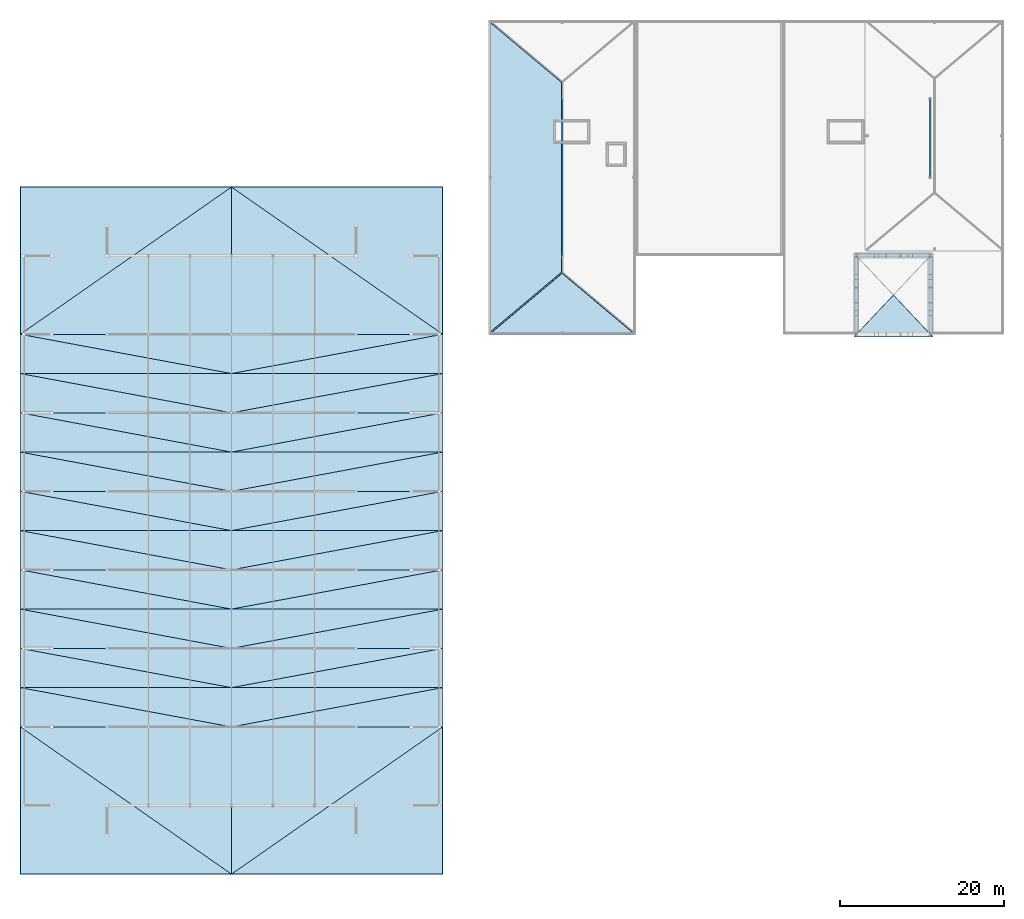
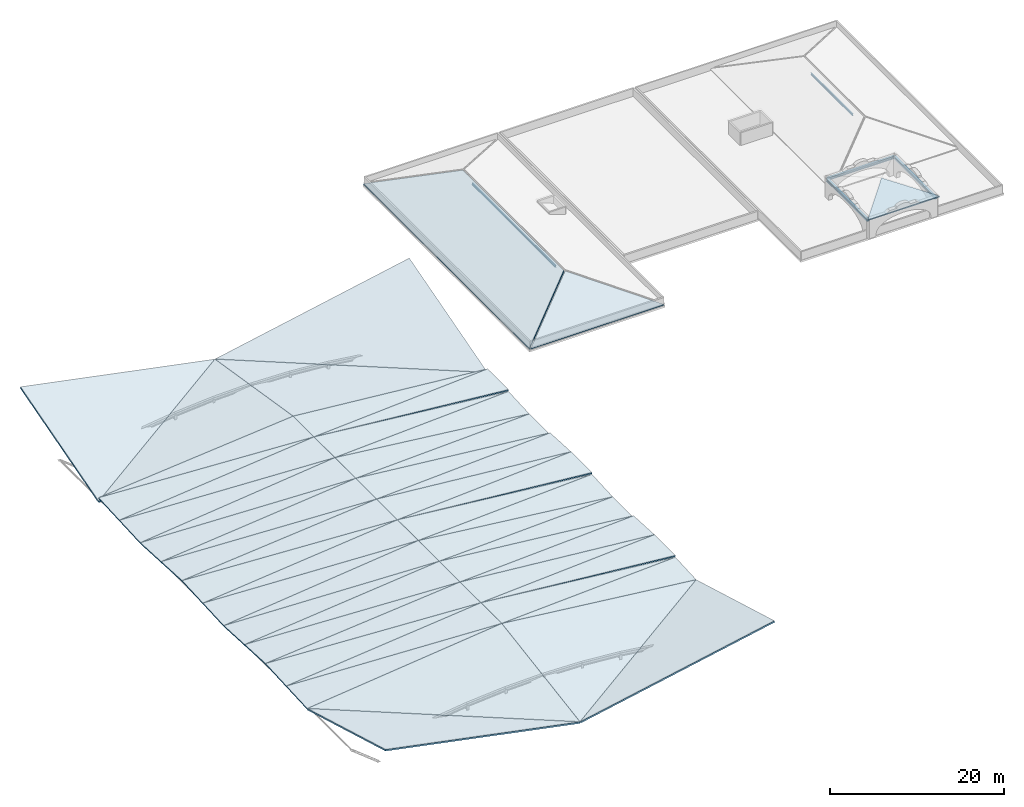
# One storey, part 10 of 16: 51 slabs, 5 beams.
"""IFC4 building model written with IfcOpenShell, lengths in metres."""

from ifc_helpers import new_model, si_unit, direction, frame, origin, origin_2d, place, context, subcontext, project, spatial, polyline, i_section, outline, extrude, material, layer, layer_set, material_profile, profile_set, type_object, element, save


model = new_model("IFC4")

# Units and contexts
model_context = context("Model", 3, precision=1e-05, world=origin(), true_north=direction((0.0, 1.0)))
body_context = subcontext(model_context, "Body", "Model", "MODEL_VIEW")
ifc_project = project(units=[si_unit("LENGTHUNIT", "METRE"), si_unit("AREAUNIT", "SQUARE_METRE"), si_unit("VOLUMEUNIT", "CUBIC_METRE"), si_unit("PLANEANGLEUNIT", "RADIAN"), si_unit("MASSUNIT", "GRAM", prefix="KILO")], contexts=[model_context])

# Site, building, storey
site_placement = place(None, origin())
site = spatial("IfcSite", under=ifc_project, at=site_placement, CompositionType="ELEMENT")
building_placement = place(site_placement, origin())
building = spatial("IfcBuilding", under=site, at=building_placement, Name="Myrtia Square Station", CompositionType="ELEMENT")
storey_placement = place(building_placement, frame((0.0, 0.0, 22.800048828125)))
storey = spatial("IfcBuildingStorey", under=building, at=storey_placement, Name="RF", CompositionType="ELEMENT", Elevation=22.800048828125)

# Beams
ifc_material_1 = material(Name="Steel S355", Category="steel")
ifc_material_profile_1 = material_profile(ifc_material_1, i_section(OverallWidth=0.300048828125, OverallDepth=0.360107421875, WebThickness=0.012451171875, FlangeThickness=0.0224609375, FilletRadius=0.027099609375, at=origin_2d()), Name="HEB 360")
ifc_profile_set_1 = profile_set([ifc_material_profile_1], Name="Steel S355")
beam_type_1 = type_object("IfcBeamType", Name="BM-HEB360", PredefinedType="BEAM", material=ifc_profile_set_1)
beam_1_placement = place(storey_placement, frame((171.050048828125, 96.0, 2.5), z_axis=(1.0, 0.0, 0.0), x_axis=(0.0, 1.0, 0.0)))
element("IfcBeam", 1, at=beam_1_placement, inside=storey, type_object=beam_type_1, Name="Station clock tower belfry ring beam 2", PredefinedType="BEAM", context=body_context, shape_type="SweptSolid", body=[
    extrude(i_section(OverallWidth=0.300048828125, OverallDepth=0.360107421875, WebThickness=0.012451171875, FlangeThickness=0.0224609375, FilletRadius=0.027099609375, at=origin_2d()), origin(), (0.0, 0.0, 1.0), 8.89990234375),
])
for number, where, z_axis, x_axis, name in (
    (2, (171.0, 86.449951171875, 2.5), (0.0, 1.0, 0.0), (-1.0, 0.0, 0.0), "Station clock tower belfry ring beam 3"),
    (3, (180.0, 86.449951171875, 2.5), (0.0, 1.0, 0.0), (-1.0, 0.0, 0.0), "Station clock tower belfry ring beam 4"),
):
    element("IfcBeam", number, at=place(storey_placement, frame(where, z_axis=z_axis, x_axis=x_axis)), inside=storey, type_object=beam_type_1, Name=name, PredefinedType="BEAM", context=body_context, shape_type="SweptSolid", body=[
        extrude(i_section(OverallWidth=0.300048828125, OverallDepth=0.360107421875, WebThickness=0.012451171875, FlangeThickness=0.0224609375, FilletRadius=0.027099609375, at=origin_2d()), origin(), (0.0, 0.0, 1.0), 9.5),
    ])
ifc_material_profile_2 = material_profile(ifc_material_1, i_section(OverallWidth=0.14990234375, OverallDepth=0.300048828125, WebThickness=0.007080078125, FlangeThickness=0.0107421875, FilletRadius=0.014892578125, at=origin_2d()), Name="IPE 300")
ifc_profile_set_2 = profile_set([ifc_material_profile_2], Name="Steel S355")
beam_type_2 = type_object("IfcBeamType", Name="BM-IPE300", PredefinedType="BEAM", material=ifc_profile_set_2)
beam_2_placement = place(storey_placement, frame((135.0, 96.0, 2.829833984375), z_axis=(0.0, 1.0, 0.0), x_axis=(-1.0, 0.0, 0.0)))
element("IfcBeam", 4, at=beam_2_placement, inside=storey, type_object=beam_type_2, Name="Hipped roof ridge beam HIP-V5W", PredefinedType="BEAM", context=body_context, shape_type="SweptSolid", body=[
    extrude(i_section(OverallWidth=0.14990234375, OverallDepth=0.300048828125, WebThickness=0.007080078125, FlangeThickness=0.0107421875, FilletRadius=0.014892578125, at=origin_2d()), origin(), (0.0, 0.0, 1.0), 19.199951171875),
])
beam_3_placement = place(storey_placement, frame((180.0, 105.60009765625, 2.530029296875), z_axis=(0.0, 1.0, 0.0), x_axis=(-1.0, 0.0, 0.0)))
element("IfcBeam", 5, at=beam_3_placement, inside=storey, type_object=beam_type_2, Name="Hipped roof ridge beam HIP-V5NE", PredefinedType="BEAM", context=body_context, shape_type="SweptSolid", body=[
    extrude(i_section(OverallWidth=0.14990234375, OverallDepth=0.300048828125, WebThickness=0.007080078125, FlangeThickness=0.0107421875, FilletRadius=0.014892578125, at=origin_2d()), origin(), (0.0, 0.0, 1.0), 9.599853515625),
])

# Slabs
ifc_material_2 = material(Name="Concrete C35/45", Category="concrete")
ifc_layer_1 = layer(ifc_material_2, 0.175048828125, Name="Concrete C35/45")
ifc_layer_set_1 = layer_set([ifc_layer_1], Name="Concrete C35/45")
slab_type_1 = type_object("IfcSlabType", Name="SLB-FOLD-175", PredefinedType="ROOF", material=ifc_layer_set_1)
slab_1_placement = place(storey_placement, frame((68.75, 20.39990234375, 4.0), z_axis=(0.188301754108, 0.2701602003, 0.944222386715), x_axis=(0.980688926589, 0.0, -0.195574101725)))
element("IfcSlab", 6, at=slab_1_placement, inside=storey, type_object=slab_type_1, Name="Upper upturned folded roof facet UF-SW-OUT", PredefinedType="ROOF", context=body_context, shape_type="SweptSolid", body=[
    extrude(outline(polyline([(0.0, 0.0), (26.333478916395535, -2.220446049250313e-16), (1.0072352724351212, 18.695172797181705), (0.0, 0.0)])), origin(), (0.0, 0.0, -1.0), 0.175048828125),
])
slab_2_placement = place(storey_placement, frame((94.574951171875, 20.39990234375, -1.150146484375), z_axis=(-0.110195125432, -0.158099096314, 0.981255170726), x_axis=(0.0, 0.987267657464, 0.159067823663)))
element("IfcSlab", 7, at=slab_2_placement, inside=storey, type_object=slab_type_1, Name="Upper upturned folded roof facet UF-SW-IN", PredefinedType="ROOF", context=body_context, shape_type="SweptSolid", body=[
    extrude(outline(polyline([(0.0, 0.0), (18.232137823931474, -5.551115123125783e-17), (17.770817834358304, 25.983189498746704), (0.0, 0.0)])), origin(), (0.0, 0.0, -1.0), 0.175048828125),
])
slab_3_placement = place(storey_placement, frame((120.39990234375, 20.39990234375, 4.0), z_axis=(-0.188301754108, 0.2701602003, 0.944222386715), x_axis=(0.0, 0.961421035644, -0.275081064818)))
element("IfcSlab", 8, at=slab_3_placement, inside=storey, type_object=slab_type_1, Name="Upper upturned folded roof facet UF-SE-OUT", PredefinedType="ROOF", context=body_context, shape_type="SweptSolid", body=[
    extrude(outline(polyline([(0.0, 0.0), (18.72228642048081, -1.1102230246251565e-16), (1.4167077788909825, 26.295342760828923), (0.0, 0.0)])), origin(), (0.0, 0.0, -1.0), 0.175048828125),
])
slab_4_placement = place(storey_placement, frame((94.574951171875, 20.39990234375, -1.150146484375), z_axis=(0.110195125432, -0.158099096314, 0.981255170726), x_axis=(0.820386370125, 0.571809586937, 0.0)))
element("IfcSlab", 9, at=slab_4_placement, inside=storey, type_object=slab_type_1, Name="Upper upturned folded roof facet UF-SE-IN", PredefinedType="ROOF", context=body_context, shape_type="SweptSolid", body=[
    extrude(outline(polyline([(0.0, 0.0), (31.479010515416903, 0.0), (10.292572564862558, 15.04904646905814), (0.0, 0.0)])), origin(), (0.0, 0.0, -1.0), 0.175048828125),
])
slab_5_placement = place(storey_placement, frame((68.75, 38.39990234375, -1.150146484375), z_axis=(-0.111449496439, -0.051688275006, 0.992424975487), x_axis=(0.993753357712, 0.0, 0.111598673993)))
element("IfcSlab", 10, at=slab_5_placement, inside=storey, type_object=slab_type_1, Name="Upper folded hall roof facet UF-B1-W1", PredefinedType="ROOF", context=body_context, shape_type="SweptSolid", body=[
    extrude(outline(polyline([(0.0, 0.0), (25.987284441829637, -2.7755575615628914e-17), (0.027899668498133537, 4.806473796961956), (0.0, 0.0)])), origin(), (0.0, 0.0, -1.0), 0.175048828125),
])
slab_6_placement = place(storey_placement, frame((94.574951171875, 38.39990234375, 1.75), z_axis=(-0.102083510541, 0.0, 0.994775832475), x_axis=(0.0, 1.0, 0.0)))
element("IfcSlab", 11, at=slab_6_placement, inside=storey, type_object=slab_type_1, Name="Upper folded hall roof facet UF-B1-W2", PredefinedType="ROOF", context=body_context, shape_type="SweptSolid", body=[
    extrude(outline(polyline([(0.0, 0.0), (4.800048828125, 0.0), (4.800048828125, 25.960573557191935), (0.0, 0.0)])), origin(), (0.0, 0.0, -1.0), 0.175048828125),
])
slab_7_placement = place(storey_placement, frame((68.75, 43.199951171875, -0.900146484375), z_axis=(-0.101946771829, -0.051741314869, 0.993443351203), x_axis=(0.994775832475, 0.0, 0.102083510541)))
element("IfcSlab", 12, at=slab_7_placement, inside=storey, type_object=slab_type_1, Name="Upper folded hall roof facet UF-B1-W3", PredefinedType="ROOF", context=body_context, shape_type="SweptSolid", body=[
    extrude(outline(polyline([(0.0, 0.0), (25.960573557191935, -2.7755575615628914e-17), (0.025520877635240285, 4.80648701623014), (0.0, 0.0)])), origin(), (0.0, 0.0, -1.0), 0.175048828125),
])
slab_8_placement = place(storey_placement, frame((94.574951171875, 43.199951171875, 1.75), z_axis=(-0.092540245581, 0.0, 0.995708944897), x_axis=(0.0, 1.0, 0.0)))
element("IfcSlab", 13, at=slab_8_placement, inside=storey, type_object=slab_type_1, Name="Upper folded hall roof facet UF-B1-W4", PredefinedType="ROOF", context=body_context, shape_type="SweptSolid", body=[
    extrude(outline(polyline([(0.0, 0.0), (4.800048828125, 0.0), (4.800048828125, 25.936245028457485), (0.0, 0.0)])), origin(), (0.0, 0.0, -1.0), 0.175048828125),
])
slab_9_placement = place(storey_placement, frame((94.574951171875, 38.39990234375, 1.75), z_axis=(0.111449496439, -0.051688275006, 0.992424975487), x_axis=(0.993753357712, 0.0, -0.111598673993)))
element("IfcSlab", 14, at=slab_9_placement, inside=storey, type_object=slab_type_1, Name="Upper folded hall roof facet UF-B1-E1", PredefinedType="ROOF", context=body_context, shape_type="SweptSolid", body=[
    extrude(outline(polyline([(0.0, 0.0), (25.987284441829637, 2.7755575615628914e-17), (25.959384773331504, 4.806473796961956), (0.0, 0.0)])), origin(), (0.0, 0.0, -1.0), 0.175048828125),
])
slab_10_placement = place(storey_placement, frame((94.574951171875, 38.39990234375, 1.75), z_axis=(0.102083510541, 0.0, 0.994775832475), x_axis=(0.978195497944, 0.181815877301, -0.100382043035)))
element("IfcSlab", 15, at=slab_10_placement, inside=storey, type_object=slab_type_1, Name="Upper folded hall roof facet UF-B1-E2", PredefinedType="ROOF", context=body_context, shape_type="SweptSolid", body=[
    extrude(outline(polyline([(0.0, 0.0), (26.40060317816162, -7.008282842946301e-16), (0.8727250887753615, 4.720044456549771), (0.0, 0.0)])), origin(), (0.0, 0.0, -1.0), 0.175048828125),
])
slab_11_placement = place(storey_placement, frame((94.574951171875, 43.199951171875, 1.75), z_axis=(0.092540245581, 0.0, 0.995708944897), x_axis=(0.995708944897, 0.0, -0.092540245581)))
element("IfcSlab", 16, at=slab_11_placement, inside=storey, type_object=slab_type_1, Name="Upper folded hall roof facet UF-B1-E3", PredefinedType="ROOF", context=body_context, shape_type="SweptSolid", body=[
    extrude(outline(polyline([(0.0, 0.0), (25.936245028457485, 0.0), (25.936245028457485, 4.800048828125), (0.0, 0.0)])), origin(), (0.0, 0.0, -1.0), 0.175048828125),
])
slab_12_placement = place(storey_placement, frame((94.574951171875, 43.199951171875, 1.75), z_axis=(0.092540245581, 0.0, 0.995708944897), x_axis=(0.979082684735, 0.181980777513, -0.09099501672)))
element("IfcSlab", 17, at=slab_12_placement, inside=storey, type_object=slab_type_1, Name="Upper folded hall roof facet UF-B1-E4", PredefinedType="ROOF", context=body_context, shape_type="SweptSolid", body=[
    extrude(outline(polyline([(0.0, 0.0), (26.376680513828305, 4.510281037539698e-16), (0.87351661784374, 4.719898036052794), (0.0, 0.0)])), origin(), (0.0, 0.0, -1.0), 0.175048828125),
])
slab_13_placement = place(storey_placement, frame((68.75, 48.0, -0.650146484375), z_axis=(-0.092416057686, 0.051789718766, 0.99437271549), x_axis=(0.995708944897, 0.0, 0.092540245581)))
element("IfcSlab", 18, at=slab_13_placement, inside=storey, type_object=slab_type_1, Name="Upper folded hall roof facet UF-B2-W1", PredefinedType="ROOF", context=body_context, shape_type="SweptSolid", body=[
    extrude(outline(polyline([(0.0, 0.0), (25.936245028457485, -1.3877787807814457e-17), (-0.02313506139517823, 4.806499091991845), (0.0, 0.0)])), origin(), (0.0, 0.0, -1.0), 0.175048828125),
])
slab_14_placement = place(storey_placement, frame((94.574951171875, 48.0, 1.75), z_axis=(-0.102083510541, 0.0, 0.994775832475), x_axis=(0.0, 1.0, 0.0)))
element("IfcSlab", 19, at=slab_14_placement, inside=storey, type_object=slab_type_1, Name="Upper folded hall roof facet UF-B2-W2", PredefinedType="ROOF", context=body_context, shape_type="SweptSolid", body=[
    extrude(outline(polyline([(0.0, 0.0), (4.800048828125, 0.0), (4.800048828125, 25.960573557191935), (0.0, 0.0)])), origin(), (0.0, 0.0, -1.0), 0.175048828125),
])
slab_15_placement = place(storey_placement, frame((68.75, 52.800048828125, -0.900146484375), z_axis=(-0.101946771829, 0.051741314869, 0.993443351203), x_axis=(0.994775832475, 0.0, 0.102083510541)))
element("IfcSlab", 20, at=slab_15_placement, inside=storey, type_object=slab_type_1, Name="Upper folded hall roof facet UF-B2-W3", PredefinedType="ROOF", context=body_context, shape_type="SweptSolid", body=[
    extrude(outline(polyline([(0.0, 0.0), (25.960573557191935, 2.7755575615628914e-17), (-0.025520877635240285, 4.80648701623014), (0.0, 0.0)])), origin(), (0.0, 0.0, -1.0), 0.175048828125),
])
slab_16_placement = place(storey_placement, frame((94.574951171875, 52.800048828125, 1.75), z_axis=(-0.111598673993, 0.0, 0.993753357712), x_axis=(0.0, 1.0, 0.0)))
element("IfcSlab", 21, at=slab_16_placement, inside=storey, type_object=slab_type_1, Name="Upper folded hall roof facet UF-B2-W4", PredefinedType="ROOF", context=body_context, shape_type="SweptSolid", body=[
    extrude(outline(polyline([(0.0, 0.0), (4.800048828125, 0.0), (4.800048828125, 25.987284441829637), (0.0, 0.0)])), origin(), (0.0, 0.0, -1.0), 0.175048828125),
])
slab_17_placement = place(storey_placement, frame((94.574951171875, 48.0, 1.75), z_axis=(0.092416057686, 0.051789718766, 0.99437271549), x_axis=(0.995708944897, 0.0, -0.092540245581)))
element("IfcSlab", 22, at=slab_17_placement, inside=storey, type_object=slab_type_1, Name="Upper folded hall roof facet UF-B2-E1", PredefinedType="ROOF", context=body_context, shape_type="SweptSolid", body=[
    extrude(outline(polyline([(0.0, 0.0), (25.936245028457485, 1.3877787807814457e-17), (25.95938008985266, 4.806499091991845), (0.0, 0.0)])), origin(), (0.0, 0.0, -1.0), 0.175048828125),
])
slab_18_placement = place(storey_placement, frame((94.574951171875, 48.0, 1.75), z_axis=(0.102083510541, 0.0, 0.994775832475), x_axis=(0.978195497944, 0.181815877301, -0.100382043035)))
element("IfcSlab", 23, at=slab_18_placement, inside=storey, type_object=slab_type_1, Name="Upper folded hall roof facet UF-B2-E2", PredefinedType="ROOF", context=body_context, shape_type="SweptSolid", body=[
    extrude(outline(polyline([(0.0, 0.0), (26.40060317816162, -7.008282842946301e-16), (0.8727250887753615, 4.720044456549771), (0.0, 0.0)])), origin(), (0.0, 0.0, -1.0), 0.175048828125),
])
slab_19_placement = place(storey_placement, frame((94.574951171875, 52.800048828125, 1.75), z_axis=(0.111598673993, 0.0, 0.993753357712), x_axis=(0.993753357712, 0.0, -0.111598673993)))
element("IfcSlab", 24, at=slab_19_placement, inside=storey, type_object=slab_type_1, Name="Upper folded hall roof facet UF-B2-E3", PredefinedType="ROOF", context=body_context, shape_type="SweptSolid", body=[
    extrude(outline(polyline([(0.0, 0.0), (25.987284441829637, 0.0), (25.987284441829637, 4.800048828125), (0.0, 0.0)])), origin(), (0.0, 0.0, -1.0), 0.175048828125),
])
slab_20_placement = place(storey_placement, frame((94.574951171875, 52.800048828125, 1.75), z_axis=(0.111598673993, 0.0, 0.993753357712), x_axis=(0.977223252254, 0.181635167307, -0.10974234029)))
element("IfcSlab", 25, at=slab_20_placement, inside=storey, type_object=slab_type_1, Name="Upper folded hall roof facet UF-B2-E4", PredefinedType="ROOF", context=body_context, shape_type="SweptSolid", body=[
    extrude(outline(polyline([(0.0, 0.0), (26.426869307826546, 7.979727989493313e-16), (0.8718576719778363, 4.720204757444065), (0.0, 0.0)])), origin(), (0.0, 0.0, -1.0), 0.175048828125),
])
slab_21_placement = place(storey_placement, frame((68.75, 57.60009765625, -1.150146484375), z_axis=(-0.111449481293, -0.05169089709, 0.992424840619), x_axis=(0.993753357712, 0.0, 0.111598673993)))
element("IfcSlab", 26, at=slab_21_placement, inside=storey, type_object=slab_type_1, Name="Upper folded hall roof facet UF-B3-W1", PredefinedType="ROOF", context=body_context, shape_type="SweptSolid", body=[
    extrude(outline(polyline([(0.0, 0.0), (25.987284441829637, 0.0), (0.027899668498133537, 4.806229982704185), (0.0, 0.0)])), origin(), (0.0, 0.0, -1.0), 0.175048828125),
])
slab_22_placement = place(storey_placement, frame((94.574951171875, 57.60009765625, 1.75), z_axis=(-0.102083510541, 0.0, 0.994775832475), x_axis=(0.0, 1.0, 0.0)))
element("IfcSlab", 27, at=slab_22_placement, inside=storey, type_object=slab_type_1, Name="Upper folded hall roof facet UF-B3-W2", PredefinedType="ROOF", context=body_context, shape_type="SweptSolid", body=[
    extrude(outline(polyline([(0.0, 0.0), (4.7998046875, 0.0), (4.7998046875, 25.960573557191935), (0.0, 0.0)])), origin(), (0.0, 0.0, -1.0), 0.175048828125),
])
slab_23_placement = place(storey_placement, frame((68.75, 62.39990234375, -0.900146484375), z_axis=(-0.101946771829, -0.051741314869, 0.993443351203), x_axis=(0.994775832475, 0.0, 0.102083510541)))
element("IfcSlab", 28, at=slab_23_placement, inside=storey, type_object=slab_type_1, Name="Upper folded hall roof facet UF-B3-W3", PredefinedType="ROOF", context=body_context, shape_type="SweptSolid", body=[
    extrude(outline(polyline([(0.0, 0.0), (25.960573557191935, -2.7755575615628914e-17), (0.025520877635240285, 4.80648701623014), (0.0, 0.0)])), origin(), (0.0, 0.0, -1.0), 0.175048828125),
])
slab_24_placement = place(storey_placement, frame((94.574951171875, 62.39990234375, 1.75), z_axis=(-0.092540245581, 0.0, 0.995708944897), x_axis=(0.0, 1.0, 0.0)))
element("IfcSlab", 29, at=slab_24_placement, inside=storey, type_object=slab_type_1, Name="Upper folded hall roof facet UF-B3-W4", PredefinedType="ROOF", context=body_context, shape_type="SweptSolid", body=[
    extrude(outline(polyline([(0.0, 0.0), (4.800048828125, 0.0), (4.800048828125, 25.936245028457485), (0.0, 0.0)])), origin(), (0.0, 0.0, -1.0), 0.175048828125),
])
slab_25_placement = place(storey_placement, frame((94.574951171875, 57.60009765625, 1.75), z_axis=(0.111449481293, -0.05169089709, 0.992424840619), x_axis=(0.993753357712, 0.0, -0.111598673993)))
element("IfcSlab", 30, at=slab_25_placement, inside=storey, type_object=slab_type_1, Name="Upper folded hall roof facet UF-B3-E1", PredefinedType="ROOF", context=body_context, shape_type="SweptSolid", body=[
    extrude(outline(polyline([(0.0, 0.0), (25.987284441829637, 0.0), (25.959384773331504, 4.806229982704185), (0.0, 0.0)])), origin(), (0.0, 0.0, -1.0), 0.175048828125),
])
slab_26_placement = place(storey_placement, frame((94.574951171875, 57.60009765625, 1.75), z_axis=(0.102083510541, 0.0, 0.994775832475), x_axis=(0.978197142595, 0.181806935435, -0.100382211808)))
element("IfcSlab", 31, at=slab_26_placement, inside=storey, type_object=slab_type_1, Name="Upper folded hall roof facet UF-B3-E2", PredefinedType="ROOF", context=body_context, shape_type="SweptSolid", body=[
    extrude(outline(polyline([(0.0, 0.0), (26.400558790611235, 1.6653345369377348e-16), (0.8726377809222723, 4.719812320575261), (0.0, 0.0)])), origin(), (0.0, 0.0, -1.0), 0.175048828125),
])
slab_27_placement = place(storey_placement, frame((94.574951171875, 62.39990234375, 1.75), z_axis=(0.092540245581, 0.0, 0.995708944897), x_axis=(0.995708944897, 0.0, -0.092540245581)))
element("IfcSlab", 32, at=slab_27_placement, inside=storey, type_object=slab_type_1, Name="Upper folded hall roof facet UF-B3-E3", PredefinedType="ROOF", context=body_context, shape_type="SweptSolid", body=[
    extrude(outline(polyline([(0.0, 0.0), (25.936245028457485, 0.0), (25.936245028457485, 4.800048828125), (0.0, 0.0)])), origin(), (0.0, 0.0, -1.0), 0.175048828125),
])
slab_28_placement = place(storey_placement, frame((94.574951171875, 62.39990234375, 1.75), z_axis=(0.092540245581, 0.0, 0.995708944897), x_axis=(0.979082684735, 0.181980777513, -0.09099501672)))
element("IfcSlab", 33, at=slab_28_placement, inside=storey, type_object=slab_type_1, Name="Upper folded hall roof facet UF-B3-E4", PredefinedType="ROOF", context=body_context, shape_type="SweptSolid", body=[
    extrude(outline(polyline([(0.0, 0.0), (26.376680513828305, 4.510281037539698e-16), (0.87351661784374, 4.719898036052794), (0.0, 0.0)])), origin(), (0.0, 0.0, -1.0), 0.175048828125),
])
slab_29_placement = place(storey_placement, frame((68.75, 67.199951171875, -0.650146484375), z_axis=(-0.092416057686, 0.051789718766, 0.99437271549), x_axis=(0.995708944897, 0.0, 0.092540245581)))
element("IfcSlab", 34, at=slab_29_placement, inside=storey, type_object=slab_type_1, Name="Upper folded hall roof facet UF-B4-W1", PredefinedType="ROOF", context=body_context, shape_type="SweptSolid", body=[
    extrude(outline(polyline([(0.0, 0.0), (25.936245028457485, -1.3877787807814457e-17), (-0.02313506139517823, 4.806499091991845), (0.0, 0.0)])), origin(), (0.0, 0.0, -1.0), 0.175048828125),
])
slab_30_placement = place(storey_placement, frame((94.574951171875, 67.199951171875, 1.75), z_axis=(-0.102083510541, 0.0, 0.994775832475), x_axis=(0.0, 1.0, 0.0)))
element("IfcSlab", 35, at=slab_30_placement, inside=storey, type_object=slab_type_1, Name="Upper folded hall roof facet UF-B4-W2", PredefinedType="ROOF", context=body_context, shape_type="SweptSolid", body=[
    extrude(outline(polyline([(0.0, 0.0), (4.800048828125, 0.0), (4.800048828125, 25.960573557191935), (0.0, 0.0)])), origin(), (0.0, 0.0, -1.0), 0.175048828125),
])
slab_31_placement = place(storey_placement, frame((68.75, 72.0, -0.900146484375), z_axis=(-0.101946771829, 0.051741314869, 0.993443351203), x_axis=(0.994775832475, 0.0, 0.102083510541)))
element("IfcSlab", 36, at=slab_31_placement, inside=storey, type_object=slab_type_1, Name="Upper folded hall roof facet UF-B4-W3", PredefinedType="ROOF", context=body_context, shape_type="SweptSolid", body=[
    extrude(outline(polyline([(0.0, 0.0), (25.960573557191935, 2.7755575615628914e-17), (-0.025520877635240285, 4.80648701623014), (0.0, 0.0)])), origin(), (0.0, 0.0, -1.0), 0.175048828125),
])
slab_32_placement = place(storey_placement, frame((94.574951171875, 72.0, 1.75), z_axis=(-0.111598673993, 0.0, 0.993753357712), x_axis=(0.0, 1.0, 0.0)))
element("IfcSlab", 37, at=slab_32_placement, inside=storey, type_object=slab_type_1, Name="Upper folded hall roof facet UF-B4-W4", PredefinedType="ROOF", context=body_context, shape_type="SweptSolid", body=[
    extrude(outline(polyline([(0.0, 0.0), (4.800048828125, 0.0), (4.800048828125, 25.987284441829637), (0.0, 0.0)])), origin(), (0.0, 0.0, -1.0), 0.175048828125),
])
slab_33_placement = place(storey_placement, frame((94.574951171875, 67.199951171875, 1.75), z_axis=(0.092416057686, 0.051789718766, 0.99437271549), x_axis=(0.995708944897, 0.0, -0.092540245581)))
element("IfcSlab", 38, at=slab_33_placement, inside=storey, type_object=slab_type_1, Name="Upper folded hall roof facet UF-B4-E1", PredefinedType="ROOF", context=body_context, shape_type="SweptSolid", body=[
    extrude(outline(polyline([(0.0, 0.0), (25.936245028457485, 1.3877787807814457e-17), (25.95938008985266, 4.806499091991845), (0.0, 0.0)])), origin(), (0.0, 0.0, -1.0), 0.175048828125),
])
slab_34_placement = place(storey_placement, frame((94.574951171875, 67.199951171875, 1.75), z_axis=(0.102083510541, 0.0, 0.994775832475), x_axis=(0.978195497944, 0.181815877301, -0.100382043035)))
element("IfcSlab", 39, at=slab_34_placement, inside=storey, type_object=slab_type_1, Name="Upper folded hall roof facet UF-B4-E2", PredefinedType="ROOF", context=body_context, shape_type="SweptSolid", body=[
    extrude(outline(polyline([(0.0, 0.0), (26.40060317816162, -7.008282842946301e-16), (0.8727250887753615, 4.720044456549771), (0.0, 0.0)])), origin(), (0.0, 0.0, -1.0), 0.175048828125),
])
slab_35_placement = place(storey_placement, frame((94.574951171875, 72.0, 1.75), z_axis=(0.111598673993, 0.0, 0.993753357712), x_axis=(0.993753357712, 0.0, -0.111598673993)))
element("IfcSlab", 40, at=slab_35_placement, inside=storey, type_object=slab_type_1, Name="Upper folded hall roof facet UF-B4-E3", PredefinedType="ROOF", context=body_context, shape_type="SweptSolid", body=[
    extrude(outline(polyline([(0.0, 0.0), (25.987284441829637, 0.0), (25.987284441829637, 4.800048828125), (0.0, 0.0)])), origin(), (0.0, 0.0, -1.0), 0.175048828125),
])
slab_36_placement = place(storey_placement, frame((94.574951171875, 72.0, 1.75), z_axis=(0.111598673993, 0.0, 0.993753357712), x_axis=(0.977223252254, 0.181635167307, -0.10974234029)))
element("IfcSlab", 41, at=slab_36_placement, inside=storey, type_object=slab_type_1, Name="Upper folded hall roof facet UF-B4-E4", PredefinedType="ROOF", context=body_context, shape_type="SweptSolid", body=[
    extrude(outline(polyline([(0.0, 0.0), (26.426869307826546, 7.979727989493313e-16), (0.8718576719778363, 4.720204757444065), (0.0, 0.0)])), origin(), (0.0, 0.0, -1.0), 0.175048828125),
])
slab_37_placement = place(storey_placement, frame((68.75, 76.800048828125, -1.150146484375), z_axis=(-0.111449496439, -0.051688275006, 0.992424975487), x_axis=(0.993753357712, 0.0, 0.111598673993)))
element("IfcSlab", 42, at=slab_37_placement, inside=storey, type_object=slab_type_1, Name="Upper folded hall roof facet UF-B5-W1", PredefinedType="ROOF", context=body_context, shape_type="SweptSolid", body=[
    extrude(outline(polyline([(0.0, 0.0), (25.987284441829637, -2.7755575615628914e-17), (0.027899668498133537, 4.806473796961956), (0.0, 0.0)])), origin(), (0.0, 0.0, -1.0), 0.175048828125),
])
slab_38_placement = place(storey_placement, frame((94.574951171875, 76.800048828125, 1.75), z_axis=(-0.102083510541, 0.0, 0.994775832475), x_axis=(0.0, 1.0, 0.0)))
element("IfcSlab", 43, at=slab_38_placement, inside=storey, type_object=slab_type_1, Name="Upper folded hall roof facet UF-B5-W2", PredefinedType="ROOF", context=body_context, shape_type="SweptSolid", body=[
    extrude(outline(polyline([(0.0, 0.0), (4.800048828125, 0.0), (4.800048828125, 25.960573557191935), (0.0, 0.0)])), origin(), (0.0, 0.0, -1.0), 0.175048828125),
])
slab_39_placement = place(storey_placement, frame((68.75, 81.60009765625, -0.900146484375), z_axis=(-0.101946757946, -0.051743939629, 0.993443215919), x_axis=(0.994775832475, 0.0, 0.102083510541)))
element("IfcSlab", 44, at=slab_39_placement, inside=storey, type_object=slab_type_1, Name="Upper folded hall roof facet UF-B5-W3", PredefinedType="ROOF", context=body_context, shape_type="SweptSolid", body=[
    extrude(outline(polyline([(0.0, 0.0), (25.960573557191935, 0.0), (0.025520877635240285, 4.806243202642964), (0.0, 0.0)])), origin(), (0.0, 0.0, -1.0), 0.175048828125),
])
slab_40_placement = place(storey_placement, frame((94.574951171875, 81.60009765625, 1.75), z_axis=(-0.092540245581, 0.0, 0.995708944897), x_axis=(0.0, 1.0, 0.0)))
element("IfcSlab", 45, at=slab_40_placement, inside=storey, type_object=slab_type_1, Name="Upper folded hall roof facet UF-B5-W4", PredefinedType="ROOF", context=body_context, shape_type="SweptSolid", body=[
    extrude(outline(polyline([(0.0, 0.0), (4.7998046875, 0.0), (4.7998046875, 25.936245028457485), (0.0, 0.0)])), origin(), (0.0, 0.0, -1.0), 0.175048828125),
])
slab_41_placement = place(storey_placement, frame((94.574951171875, 76.800048828125, 1.75), z_axis=(0.111449496439, -0.051688275006, 0.992424975487), x_axis=(0.993753357712, 0.0, -0.111598673993)))
element("IfcSlab", 46, at=slab_41_placement, inside=storey, type_object=slab_type_1, Name="Upper folded hall roof facet UF-B5-E1", PredefinedType="ROOF", context=body_context, shape_type="SweptSolid", body=[
    extrude(outline(polyline([(0.0, 0.0), (25.987284441829637, 2.7755575615628914e-17), (25.959384773331504, 4.806473796961956), (0.0, 0.0)])), origin(), (0.0, 0.0, -1.0), 0.175048828125),
])
slab_42_placement = place(storey_placement, frame((94.574951171875, 76.800048828125, 1.75), z_axis=(0.102083510541, 0.0, 0.994775832475), x_axis=(0.978195497944, 0.181815877301, -0.100382043035)))
element("IfcSlab", 47, at=slab_42_placement, inside=storey, type_object=slab_type_1, Name="Upper folded hall roof facet UF-B5-E2", PredefinedType="ROOF", context=body_context, shape_type="SweptSolid", body=[
    extrude(outline(polyline([(0.0, 0.0), (26.40060317816162, -7.008282842946301e-16), (0.8727250887753615, 4.720044456549771), (0.0, 0.0)])), origin(), (0.0, 0.0, -1.0), 0.175048828125),
])
slab_43_placement = place(storey_placement, frame((94.574951171875, 81.60009765625, 1.75), z_axis=(0.092540245581, 0.0, 0.995708944897), x_axis=(0.995708944897, 0.0, -0.092540245581)))
element("IfcSlab", 48, at=slab_43_placement, inside=storey, type_object=slab_type_1, Name="Upper folded hall roof facet UF-B5-E3", PredefinedType="ROOF", context=body_context, shape_type="SweptSolid", body=[
    extrude(outline(polyline([(0.0, 0.0), (25.936245028457485, 0.0), (25.936245028457485, 4.7998046875), (0.0, 0.0)])), origin(), (0.0, 0.0, -1.0), 0.175048828125),
])
slab_44_placement = place(storey_placement, frame((94.574951171875, 81.60009765625, 1.75), z_axis=(0.092540245581, 0.0, 0.995708944897), x_axis=(0.979084333865, 0.181971828092, -0.090995169989)))
element("IfcSlab", 49, at=slab_44_placement, inside=storey, type_object=slab_type_1, Name="Upper folded hall roof facet UF-B5-E4", PredefinedType="ROOF", context=body_context, shape_type="SweptSolid", body=[
    extrude(outline(polyline([(0.0, 0.0), (26.376636086020007, -1.0408340855860843e-15), (0.873429233470659, 4.7196659216798205), (0.0, 0.0)])), origin(), (0.0, 0.0, -1.0), 0.175048828125),
])
slab_45_placement = place(storey_placement, frame((68.75, 104.39990234375, 4.0), z_axis=(0.188301754108, -0.2701602003, 0.944222386715), x_axis=(0.0, -0.961421035644, -0.275081064818)))
element("IfcSlab", 50, at=slab_45_placement, inside=storey, type_object=slab_type_1, Name="Upper upturned folded roof facet UF-NW-OUT", PredefinedType="ROOF", context=body_context, shape_type="SweptSolid", body=[
    extrude(outline(polyline([(0.0, 0.0), (18.72228642048081, -1.1102230246251565e-16), (1.4167077788909825, 26.295342760828923), (0.0, 0.0)])), origin(), (0.0, 0.0, -1.0), 0.175048828125),
])
slab_46_placement = place(storey_placement, frame((68.75, 86.39990234375, -1.150146484375), z_axis=(-0.110195125432, 0.158099096314, 0.981255170726), x_axis=(0.993753357712, 0.0, 0.111598673993)))
element("IfcSlab", 51, at=slab_46_placement, inside=storey, type_object=slab_type_1, Name="Upper upturned folded roof facet UF-NW-IN", PredefinedType="ROOF", context=body_context, shape_type="SweptSolid", body=[
    extrude(outline(polyline([(0.0, 0.0), (25.987284441829637, 5.551115123125783e-17), (25.663631939789276, 18.22926489710311), (0.0, 0.0)])), origin(), (0.0, 0.0, -1.0), 0.175048828125),
])
slab_47_placement = place(storey_placement, frame((120.39990234375, 104.39990234375, 4.0), z_axis=(-0.188301754108, -0.2701602003, 0.944222386715), x_axis=(-0.980688926589, 0.0, -0.195574101725)))
element("IfcSlab", 52, at=slab_47_placement, inside=storey, type_object=slab_type_1, Name="Upper upturned folded roof facet UF-NE-OUT", PredefinedType="ROOF", context=body_context, shape_type="SweptSolid", body=[
    extrude(outline(polyline([(0.0, 0.0), (26.333478916395535, -2.220446049250313e-16), (1.0072352724351212, 18.695172797181705), (0.0, 0.0)])), origin(), (0.0, 0.0, -1.0), 0.175048828125),
])
slab_48_placement = place(storey_placement, frame((94.574951171875, 86.39990234375, 1.75), z_axis=(0.110195125432, 0.158099096314, 0.981255170726), x_axis=(0.993753357712, 0.0, -0.111598673993)))
element("IfcSlab", 53, at=slab_48_placement, inside=storey, type_object=slab_type_1, Name="Upper upturned folded roof facet UF-NE-IN", PredefinedType="ROOF", context=body_context, shape_type="SweptSolid", body=[
    extrude(outline(polyline([(0.0, 0.0), (25.987284441829637, -5.551115123125783e-17), (0.32365250204035967, 18.22926489710311), (0.0, 0.0)])), origin(), (0.0, 0.0, -1.0), 0.175048828125),
])
ifc_layer_2 = layer(ifc_material_2, 0.18505859375, Name="Concrete C35/45")
ifc_layer_set_2 = layer_set([ifc_layer_2], Name="Concrete C35/45")
slab_type_2 = type_object("IfcSlabType", Name="SLB-HIP-185", PredefinedType="ROOF", material=ifc_layer_set_2)
slab_49_placement = place(storey_placement, frame((126.0, 124.68896484375, 0.19189453125), z_axis=(-0.349582116085, 0.0, 0.936905728509), x_axis=(0.0, -1.0, 0.0)))
element("IfcSlab", 54, at=slab_49_placement, inside=storey, type_object=slab_type_2, Name="Spanish terracotta hipped roof HIP-V5W W", PredefinedType="ROOF", context=body_context, shape_type="SweptSolid", body=[
    extrude(outline(polyline([(0.0, 0.0), (38.177978515625, 0.0), (30.689453125, 9.51540671726161), (7.488525390625, 9.51540671726161), (0.0, 0.0)])), origin(), (0.0, 0.0, -1.0), 0.18505859375),
])
slab_50_placement = place(storey_placement, frame((126.132080078125, 86.39990234375, 0.19189453125), z_axis=(0.0, -0.405941143106, 0.913899222198), x_axis=(1.0, 0.0, 0.0)))
element("IfcSlab", 55, at=slab_50_placement, inside=storey, type_object=slab_type_2, Name="Spanish terracotta hipped roof HIP-V5W S", PredefinedType="ROOF", context=body_context, shape_type="SweptSolid", body=[
    extrude(outline(polyline([(0.0, 0.0), (17.73583984375, 0.0), (8.867919921875, 8.15102865727923), (0.0, 0.0)])), origin(), (0.0, 0.0, -1.0), 0.18505859375),
])
slab_51_placement = place(storey_placement, frame((170.699951171875, 86.10009765625, 2.849853515625), z_axis=(0.0, -0.216351415073, 0.976315556158), x_axis=(1.0, 0.0, 0.0)))
element("IfcSlab", 56, at=slab_51_placement, inside=storey, type_object=slab_type_2, Name="Spanish terracotta hipped roof HIP-CLK S", PredefinedType="ROOF", context=body_context, shape_type="SweptSolid", body=[
    extrude(outline(polyline([(0.0, 0.0), (9.60009765625, 0.0), (4.800048828125, 5.223570886951977), (0.0, 0.0)])), origin(), (0.0, 0.0, -1.0), 0.18505859375),
])

save(model, "model.ifc")
